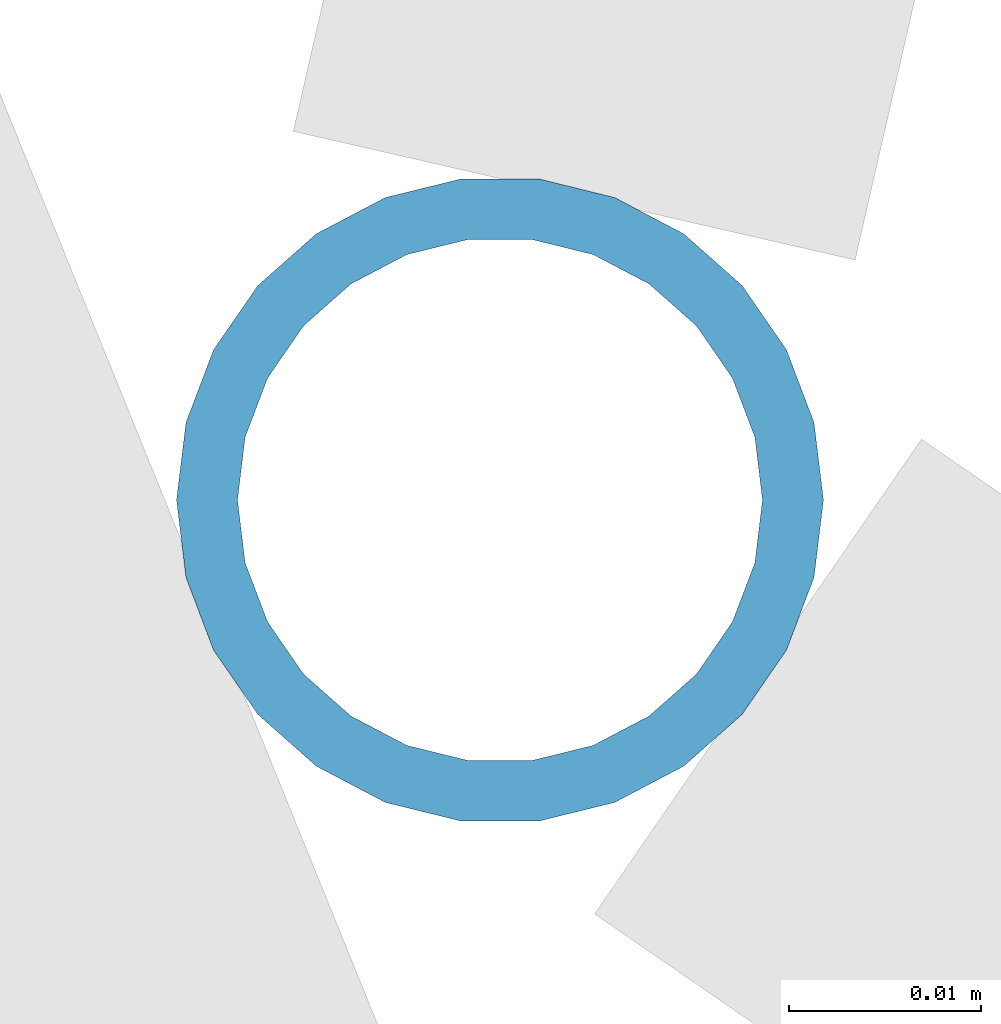
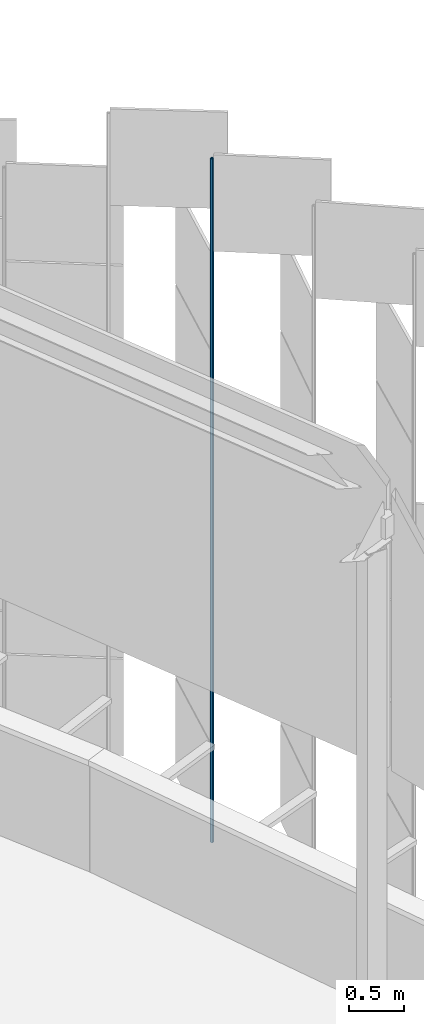
# One storey, part 303 of 483: 1 discrete accessory.
"""IFC4 building model written with IfcOpenShell, lengths in metres."""

from ifc_helpers import new_model, si_unit, direction, frame, origin, origin_2d, place, context, subcontext, project, spatial, hollow_circle, extrude, material, material_profile, profile_set, type_object, element, save


model = new_model("IFC4")

# Units and contexts
model_context = context("Model", 3, precision=1e-05, world=origin(), true_north=direction((0.0, 1.0)))
body_context = subcontext(model_context, "Body", "Model", "MODEL_VIEW")
ifc_project = project(units=[si_unit("LENGTHUNIT", "METRE"), si_unit("AREAUNIT", "SQUARE_METRE"), si_unit("VOLUMEUNIT", "CUBIC_METRE"), si_unit("PLANEANGLEUNIT", "RADIAN"), si_unit("MASSUNIT", "GRAM", prefix="KILO")], contexts=[model_context])

# Site, building, storey
site_placement = place(None, origin())
site = spatial("IfcSite", under=ifc_project, at=site_placement, CompositionType="ELEMENT")
building_placement = place(site_placement, origin())
building = spatial("IfcBuilding", under=site, at=building_placement, Name="Parallax Yard Mobility Hub", CompositionType="ELEMENT")
storey_placement = place(building_placement, frame((0.0, 0.0, 13.199951171875)))
storey = spatial("IfcBuildingStorey", under=building, at=storey_placement, Name="L04", CompositionType="ELEMENT", Elevation=13.199951171875)

# Discrete accessory
ifc_material = material(Name="Steel ASTM A500 Gr C, hot-dip galvanised", Category="steel")
ifc_material_profile = material_profile(ifc_material, hollow_circle(Radius=0.016845703125, WallThickness=0.003173828125, at=origin_2d()), Name="CHS 33.7x3.2")
ifc_profile_set = profile_set([ifc_material_profile], Name="Steel ASTM A500 Gr C, hot-dip galvanised")
discrete_accessory_type = type_object("IfcDiscreteAccessoryType", Name="Hinge post CHS 33.7x3.2", PredefinedType="BRACKET", material=ifc_profile_set)
discrete_accessory_placement = place(storey_placement, frame((221.985107421875, 109.8525390625, 0.0), z_axis=(0.0, 0.0, 1.0), x_axis=(1.0, 0.0, 0.0)))
element("IfcDiscreteAccessory", 1, at=discrete_accessory_placement, inside=storey, type_object=discrete_accessory_type, Name="Hinge post bay 43.4 level L04", PredefinedType="BRACKET", context=body_context, shape_type="SweptSolid", body=[
    extrude(hollow_circle(Radius=0.016845703125, WallThickness=0.003173828125, at=origin_2d()), origin(), (0.0, 0.0, 1.0), 7.650146484375),
])

save(model, "model.ifc")
